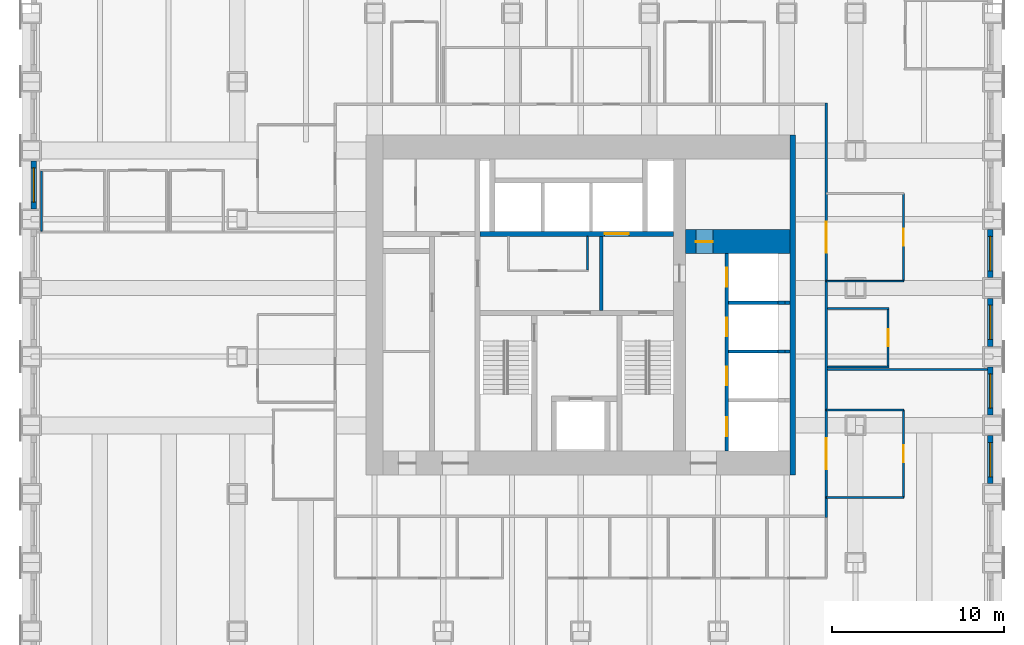
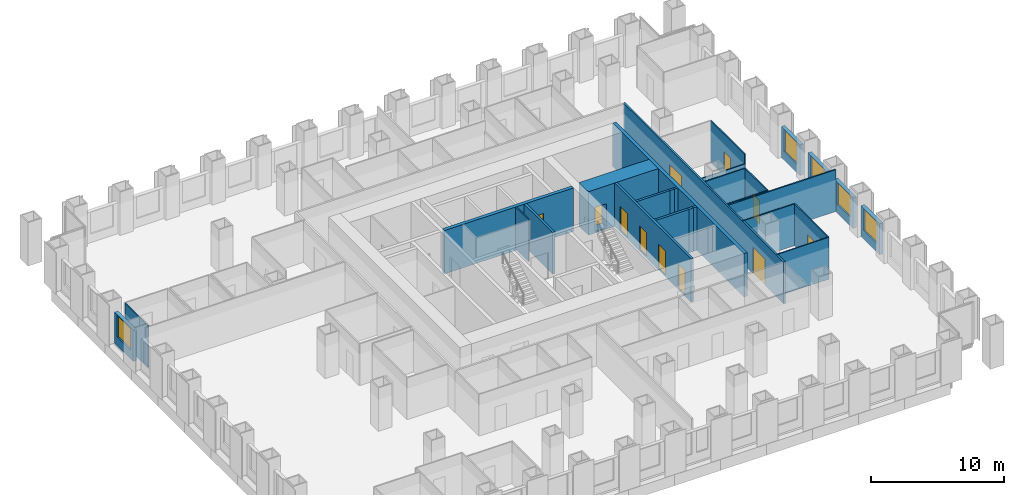
# One storey, part 10 of 14: 28 walls, 11 doors, 5 windows, 16 openings.
"""IFC4 building model written with IfcOpenShell, lengths in metres."""

from ifc_helpers import new_model, si_unit, direction, frame, frame_2d, origin, place, context, subcontext, project, spatial, rectangle, extrude, material, layer, layer_set, type_object, element, fill, save


model = new_model("IFC4")

# Units and contexts
model_context = context("Model", 3, precision=1e-05, world=origin(), true_north=direction((0.0, 1.0)))
body_context = subcontext(model_context, "Body", "Model", "MODEL_VIEW")
ifc_project = project(units=[si_unit("LENGTHUNIT", "METRE"), si_unit("AREAUNIT", "SQUARE_METRE"), si_unit("VOLUMEUNIT", "CUBIC_METRE"), si_unit("PLANEANGLEUNIT", "RADIAN"), si_unit("MASSUNIT", "GRAM", prefix="KILO")], contexts=[model_context])

# Site, building, storey
site_placement = place(None, origin())
site = spatial("IfcSite", under=ifc_project, at=site_placement, CompositionType="ELEMENT")
building_placement = place(site_placement, origin())
building = spatial("IfcBuilding", under=site, at=building_placement, Name="Rimbunsela Tower", CompositionType="ELEMENT")
storey_placement = place(building_placement, frame((0.0, 0.0, 63.0)))
storey = spatial("IfcBuildingStorey", under=building, at=storey_placement, Name="L15", CompositionType="ELEMENT", Elevation=63.0)

# Wall, opening, door
ifc_material_1 = material(Name="Concrete fc' 80 MPa", Category="concrete")
ifc_layer_1 = layer(ifc_material_1, 0.300048828125)
ifc_layer_set_1 = layer_set([ifc_layer_1], Name="Core internal wall 300")
wall_type_1 = type_object("IfcWallType", Name="Core internal wall 300", PredefinedType="SHEAR", material=ifc_layer_set_1)
wall_1_placement = place(storey_placement, frame((24.14990234375, 31.14990234375, -0.14990234375), z_axis=(0.0, 0.0, 1.0), x_axis=(1.0, 0.0, 0.0)))
wall_1 = element("IfcWall", 1, at=wall_1_placement, inside=storey, type_object=wall_type_1, Name="Lift shaft front north", PredefinedType="SHEAR", context=body_context, shape_type="SweptSolid", body=[
    extrude(rectangle(XDim=11.25, YDim=0.300048828125, at=frame_2d((5.625, 0.0))), origin(), (0.0, 0.0, 1.0), 4.0),
])
opening_1_placement = place(wall_1_placement, frame((7.25, 0.0, 0.14990234375)))
opening_1 = element("IfcOpeningElement", 2, at=opening_1_placement, cuts=wall_1, Name="Opening LD3", PredefinedType="OPENING", context=body_context, shape_type="SweptSolid", body=[
    extrude(rectangle(XDim=1.39990234375, YDim=2.39990234375, at=frame_2d((0.699951171875, 1.199951171875))), frame((0.0, 0.159912109375, 0.0), z_axis=(0.0, -1.0, 0.0), x_axis=(1.0, 0.0, 0.0)), (0.0, 0.0, 1.0), 0.320068359375),
])
ifc_material_2 = material(Name="Steel door, fire rated", Category="steel")
door_type_1 = type_object("IfcDoorType", Name="Lift landing door 1400", OperationType="DOUBLE_DOOR_SLIDING", PredefinedType="DOOR", material=ifc_material_2)
door_1_placement = place(opening_1_placement, origin())
door_1 = element("IfcDoor", 3, at=door_1_placement, inside=storey, type_object=door_type_1, Name="Lift landing door FL2", OperationType="DOUBLE_DOOR_SLIDING", OverallHeight=2.39990234375, OverallWidth=1.39990234375, PredefinedType="DOOR", context=body_context, shape_type="SweptSolid", body=[
    extrude(rectangle(XDim=1.39990234375, YDim=2.39990234375, at=frame_2d((0.699951171875, 1.199951171875))), frame((0.0, 0.02490234375, 0.0), z_axis=(0.0, -1.0, 0.0), x_axis=(1.0, 0.0, 0.0)), (0.0, 0.0, 1.0), 0.050048828125),
])
fill(opening_1, door_1)

# Wall
ifc_material_3 = material(Name="Concrete blockwork", Category="masonry")
ifc_layer_2 = layer(ifc_material_3, 0.10009765625)
ifc_layer_set_2 = layer_set([ifc_layer_2], Name="Core room partition 100")
wall_type_2 = type_object("IfcWallType", Name="Core room partition 100", PredefinedType="PARTITIONING", material=ifc_layer_set_2)
wall_2_placement = place(storey_placement, frame((30.39990234375, 29.050048828125, 0.0), z_axis=(0.0, 0.0, 1.0), x_axis=(0.0, 1.0, 0.0)))
element("IfcWall", 4, at=wall_2_placement, inside=storey, type_object=wall_type_2, Name="Lobby room wall", PredefinedType="PARTITIONING", context=body_context, shape_type="SweptSolid", body=[
    extrude(rectangle(XDim=1.949951171875, YDim=0.10009765625, at=frame_2d((0.97509765625, 0.0))), origin(), (0.0, 0.0, 1.0), 3.85009765625),
])

# Wall, opening, door
ifc_material_4 = material(Name="Concrete fc' 80 MPa", Category="concrete")
ifc_layer_3 = layer(ifc_material_4, 1.39990234375)
ifc_layer_set_3 = layer_set([ifc_layer_3], Name="Core wall 1400")
wall_type_3 = type_object("IfcWallType", Name="Core wall 1400", PredefinedType="SHEAR", material=ifc_layer_set_3)
wall_3_placement = place(storey_placement, frame((36.10009765625, 30.699951171875, -0.14990234375), z_axis=(0.0, 0.0, 1.0), x_axis=(1.0, 0.0, 0.0)))
wall_3 = element("IfcWall", 5, at=wall_3_placement, inside=storey, type_object=wall_type_3, Name="Lift shaft rear east", PredefinedType="SHEAR", context=body_context, shape_type="SweptSolid", body=[
    extrude(rectangle(XDim=6.099853515625, YDim=1.39990234375, at=frame_2d((3.0498046875, 0.0))), origin(), (0.0, 0.0, 1.0), 4.0),
])
opening_2_placement = place(wall_3_placement, frame((0.60009765625, 0.0, 0.14990234375)))
opening_2 = element("IfcOpeningElement", 6, at=opening_2_placement, cuts=wall_3, Name="Opening D19", PredefinedType="OPENING", context=body_context, shape_type="SweptSolid", body=[
    extrude(rectangle(XDim=1.0, YDim=2.199951171875, at=frame_2d((0.5, 1.10009765625))), frame((0.0, 0.7099609375, 0.0), z_axis=(0.0, -1.0, 0.0), x_axis=(1.0, 0.0, 0.0)), (0.0, 0.0, 1.0), 1.419921875),
])
ifc_material_5 = material(Name="Steel door, fire rated", Category="steel")
door_type_2 = type_object("IfcDoorType", Name="Service door 1000 fire rated", OperationType="SINGLE_SWING_LEFT", PredefinedType="DOOR", material=ifc_material_5)
door_2_placement = place(opening_2_placement, origin())
door_2 = element("IfcDoor", 7, at=door_2_placement, inside=storey, type_object=door_type_2, Name="Communications room door", OperationType="SINGLE_SWING_LEFT", OverallHeight=2.199951171875, OverallWidth=1.0, PredefinedType="DOOR", context=body_context, shape_type="SweptSolid", body=[
    extrude(rectangle(XDim=1.0, YDim=2.199951171875, at=frame_2d((0.5, 1.10009765625))), frame((0.0, 0.02490234375, 0.0), z_axis=(0.0, -1.0, 0.0), x_axis=(1.0, 0.0, 0.0)), (0.0, 0.0, 1.0), 0.050048828125),
])
fill(opening_2, door_2)

# Wall
ifc_material_6 = material(Name="Concrete fc' 80 MPa", Category="concrete")
ifc_layer_4 = layer(ifc_material_6, 0.300048828125)
ifc_layer_set_4 = layer_set([ifc_layer_4], Name="Core wall 300")
wall_type_4 = type_object("IfcWallType", Name="Core wall 300", PredefinedType="SHEAR", material=ifc_layer_set_4)
wall_4_placement = place(storey_placement, frame((42.35009765625, 17.10009765625, -0.14990234375), z_axis=(0.0, 0.0, 1.0), x_axis=(0.0, 1.0, 0.0)))
element("IfcWall", 8, at=wall_4_placement, inside=storey, type_object=wall_type_4, Name="Core wall east", PredefinedType="SHEAR", context=body_context, shape_type="SweptSolid", body=[
    extrude(rectangle(XDim=19.7998046875, YDim=0.300048828125, at=frame_2d((9.89990234375, 0.0))), origin(), (0.0, 0.0, 1.0), 4.0),
])

# Wall, openings, doors
ifc_material_7 = material(Name="Concrete blockwork", Category="masonry")
ifc_layer_5 = layer(ifc_material_7, 0.199951171875)
ifc_layer_set_5 = layer_set([ifc_layer_5], Name="Lift shaft wall 200")
wall_type_5 = type_object("IfcWallType", Name="Lift shaft wall 200", PredefinedType="SOLIDWALL", material=ifc_layer_set_5)
wall_5_placement = place(storey_placement, frame((38.5, 18.5, -0.14990234375), z_axis=(0.0, 0.0, 1.0), x_axis=(0.0, 1.0, 0.0)))
wall_5 = element("IfcWall", 9, at=wall_5_placement, inside=storey, type_object=wall_type_5, Name="Lift shaft front east", PredefinedType="SOLIDWALL", context=body_context, shape_type="SweptSolid", body=[
    extrude(rectangle(XDim=11.5, YDim=0.199951171875, at=frame_2d((5.75, 0.0))), origin(), (0.0, 0.0, 1.0), 4.0),
])
opening_3_placement = place(wall_5_placement, frame((0.875, 0.0, 0.14990234375)))
opening_3 = element("IfcOpeningElement", 10, at=opening_3_placement, cuts=wall_5, Name="Opening LD1", PredefinedType="OPENING", context=body_context, shape_type="SweptSolid", body=[
    extrude(rectangle(XDim=1.10009765625, YDim=2.199951171875, at=frame_2d((0.550048828125, 1.10009765625))), frame((0.0, 0.10986328125, 0.0), z_axis=(0.0, -1.0, 0.0), x_axis=(1.0, 0.0, 0.0)), (0.0, 0.0, 1.0), 0.219970703125),
])
opening_4_placement = place(wall_5_placement, frame((3.824951171875, 0.0, 0.14990234375)))
opening_4 = element("IfcOpeningElement", 11, at=opening_4_placement, cuts=wall_5, Name="Opening LD1", PredefinedType="OPENING", context=body_context, shape_type="SweptSolid", body=[
    extrude(rectangle(XDim=1.10009765625, YDim=2.199951171875, at=frame_2d((0.550048828125, 1.10009765625))), frame((0.0, 0.10986328125, 0.0), z_axis=(0.0, -1.0, 0.0), x_axis=(1.0, 0.0, 0.0)), (0.0, 0.0, 1.0), 0.219970703125),
])
opening_5_placement = place(wall_5_placement, frame((6.675048828125, 0.0, 0.14990234375)))
opening_5 = element("IfcOpeningElement", 12, at=opening_5_placement, cuts=wall_5, Name="Opening LD1", PredefinedType="OPENING", context=body_context, shape_type="SweptSolid", body=[
    extrude(rectangle(XDim=1.10009765625, YDim=2.199951171875, at=frame_2d((0.550048828125, 1.10009765625))), frame((0.0, 0.10986328125, 0.0), z_axis=(0.0, -1.0, 0.0), x_axis=(1.0, 0.0, 0.0)), (0.0, 0.0, 1.0), 0.219970703125),
])
opening_6_placement = place(wall_5_placement, frame((9.574951171875, 0.0, 0.14990234375)))
opening_6 = element("IfcOpeningElement", 13, at=opening_6_placement, cuts=wall_5, Name="Opening LD1", PredefinedType="OPENING", context=body_context, shape_type="SweptSolid", body=[
    extrude(rectangle(XDim=1.10009765625, YDim=2.199951171875, at=frame_2d((0.550048828125, 1.10009765625))), frame((0.0, 0.10986328125, 0.0), z_axis=(0.0, -1.0, 0.0), x_axis=(1.0, 0.0, 0.0)), (0.0, 0.0, 1.0), 0.219970703125),
])
ifc_material_8 = material(Name="Steel door, fire rated", Category="steel")
door_type_3 = type_object("IfcDoorType", Name="Lift landing door 1100", OperationType="DOUBLE_DOOR_SLIDING", PredefinedType="DOOR", material=ifc_material_8)
door_3_placement = place(opening_3_placement, origin())
door_3 = element("IfcDoor", 14, at=door_3_placement, inside=storey, type_object=door_type_3, Name="Lift landing door LL1", OperationType="DOUBLE_DOOR_SLIDING", OverallHeight=2.199951171875, OverallWidth=1.10009765625, PredefinedType="DOOR", context=body_context, shape_type="SweptSolid", body=[
    extrude(rectangle(XDim=1.10009765625, YDim=2.199951171875, at=frame_2d((0.550048828125, 1.10009765625))), frame((0.0, 0.02490234375, 0.0), z_axis=(0.0, -1.0, 0.0), x_axis=(1.0, 0.0, 0.0)), (0.0, 0.0, 1.0), 0.050048828125),
])
fill(opening_3, door_3)
door_4_placement = place(opening_4_placement, origin())
door_4 = element("IfcDoor", 15, at=door_4_placement, inside=storey, type_object=door_type_3, Name="Lift landing door LL2", OperationType="DOUBLE_DOOR_SLIDING", OverallHeight=2.199951171875, OverallWidth=1.10009765625, PredefinedType="DOOR", context=body_context, shape_type="SweptSolid", body=[
    extrude(rectangle(XDim=1.10009765625, YDim=2.199951171875, at=frame_2d((0.550048828125, 1.10009765625))), frame((0.0, 0.02490234375, 0.0), z_axis=(0.0, -1.0, 0.0), x_axis=(1.0, 0.0, 0.0)), (0.0, 0.0, 1.0), 0.050048828125),
])
fill(opening_4, door_4)
door_5_placement = place(opening_5_placement, origin())
door_5 = element("IfcDoor", 16, at=door_5_placement, inside=storey, type_object=door_type_3, Name="Lift landing door LL3", OperationType="DOUBLE_DOOR_SLIDING", OverallHeight=2.199951171875, OverallWidth=1.10009765625, PredefinedType="DOOR", context=body_context, shape_type="SweptSolid", body=[
    extrude(rectangle(XDim=1.10009765625, YDim=2.199951171875, at=frame_2d((0.550048828125, 1.10009765625))), frame((0.0, 0.02490234375, 0.0), z_axis=(0.0, -1.0, 0.0), x_axis=(1.0, 0.0, 0.0)), (0.0, 0.0, 1.0), 0.050048828125),
])
fill(opening_5, door_5)
door_6_placement = place(opening_6_placement, origin())
door_6 = element("IfcDoor", 17, at=door_6_placement, inside=storey, type_object=door_type_3, Name="Lift landing door LL4", OperationType="DOUBLE_DOOR_SLIDING", OverallHeight=2.199951171875, OverallWidth=1.10009765625, PredefinedType="DOOR", context=body_context, shape_type="SweptSolid", body=[
    extrude(rectangle(XDim=1.10009765625, YDim=2.199951171875, at=frame_2d((0.550048828125, 1.10009765625))), frame((0.0, 0.02490234375, 0.0), z_axis=(0.0, -1.0, 0.0), x_axis=(1.0, 0.0, 0.0)), (0.0, 0.0, 1.0), 0.050048828125),
])
fill(opening_6, door_6)

# Walls
wall_6_placement = place(storey_placement, frame((38.60009765625, 24.300048828125, -0.14990234375), z_axis=(0.0, 0.0, 1.0), x_axis=(1.0, 0.0, 0.0)))
element("IfcWall", 18, at=wall_6_placement, inside=storey, type_object=wall_type_5, Name="Lift shaft separation", PredefinedType="SOLIDWALL", context=body_context, shape_type="SweptSolid", body=[
    extrude(rectangle(XDim=2.89990234375, YDim=0.199951171875, at=frame_2d((1.449951171875, 0.0))), origin(), (0.0, 0.0, 1.0), 4.0),
])
wall_7_placement = place(storey_placement, frame((41.5, 24.300048828125, -0.14990234375), z_axis=(0.0, 0.0, 1.0), x_axis=(1.0, 0.0, 0.0)))
element("IfcWall", 19, at=wall_7_placement, inside=storey, type_object=wall_type_5, Name="Lift shaft separation", PredefinedType="SOLIDWALL", context=body_context, shape_type="SweptSolid", body=[
    extrude(rectangle(XDim=0.39990234375, YDim=0.199951171875, at=frame_2d((0.199951171875, 0.0))), origin(), (0.0, 0.0, 1.0), 4.0),
])
wall_8_placement = place(storey_placement, frame((41.89990234375, 24.300048828125, -0.14990234375), z_axis=(0.0, 0.0, 1.0), x_axis=(1.0, 0.0, 0.0)))
element("IfcWall", 20, at=wall_8_placement, inside=storey, type_object=wall_type_5, Name="Lift shaft separation", PredefinedType="SOLIDWALL", context=body_context, shape_type="SweptSolid", body=[
    extrude(rectangle(XDim=0.300048828125, YDim=0.199951171875, at=frame_2d((0.14990234375, 0.0))), origin(), (0.0, 0.0, 1.0), 4.0),
])
wall_9_placement = place(storey_placement, frame((38.60009765625, 27.14990234375, -0.14990234375), z_axis=(0.0, 0.0, 1.0), x_axis=(1.0, 0.0, 0.0)))
element("IfcWall", 21, at=wall_9_placement, inside=storey, type_object=wall_type_5, Name="Lift shaft separation", PredefinedType="SOLIDWALL", context=body_context, shape_type="SweptSolid", body=[
    extrude(rectangle(XDim=2.89990234375, YDim=0.199951171875, at=frame_2d((1.449951171875, 0.0))), origin(), (0.0, 0.0, 1.0), 4.0),
])
wall_10_placement = place(storey_placement, frame((41.5, 27.14990234375, -0.14990234375), z_axis=(0.0, 0.0, 1.0), x_axis=(1.0, 0.0, 0.0)))
element("IfcWall", 22, at=wall_10_placement, inside=storey, type_object=wall_type_5, Name="Lift shaft separation", PredefinedType="SOLIDWALL", context=body_context, shape_type="SweptSolid", body=[
    extrude(rectangle(XDim=0.39990234375, YDim=0.199951171875, at=frame_2d((0.199951171875, 0.0))), origin(), (0.0, 0.0, 1.0), 4.0),
])
wall_11_placement = place(storey_placement, frame((41.89990234375, 27.14990234375, -0.14990234375), z_axis=(0.0, 0.0, 1.0), x_axis=(1.0, 0.0, 0.0)))
element("IfcWall", 23, at=wall_11_placement, inside=storey, type_object=wall_type_5, Name="Lift shaft separation", PredefinedType="SOLIDWALL", context=body_context, shape_type="SweptSolid", body=[
    extrude(rectangle(XDim=0.300048828125, YDim=0.199951171875, at=frame_2d((0.14990234375, 0.0))), origin(), (0.0, 0.0, 1.0), 4.0),
])
wall_12_placement = place(storey_placement, frame((31.199951171875, 26.699951171875, 0.0), z_axis=(0.0, 0.0, 1.0), x_axis=(0.0, 1.0, 0.0)))
element("IfcWall", 24, at=wall_12_placement, inside=storey, type_object=wall_type_5, Name="Firefighting lobby 2 wall", PredefinedType="SOLIDWALL", context=body_context, shape_type="SweptSolid", body=[
    extrude(rectangle(XDim=4.300048828125, YDim=0.199951171875, at=frame_2d((2.14990234375, 0.0))), origin(), (0.0, 0.0, 1.0), 3.85009765625),
])
ifc_material_9 = material(Name="Gypsum board on steel studs", Category="steel")
ifc_layer_6 = layer(ifc_material_9, 0.10009765625)
ifc_layer_set_6 = layer_set([ifc_layer_6], Name="Office partition 100")
wall_type_6 = type_object("IfcWallType", Name="Office partition 100", PredefinedType="PARTITIONING", material=ifc_layer_set_6)
for number, where, z_axis, x_axis, name in (
    (25, (44.375, 23.39990234375, 0.0), (0.0, 0.0, 1.0), (1.0, 0.0, 0.0), "Office partition"),
    (26, (44.375, 26.800048828125, 0.0), (0.0, 0.0, 1.0), (1.0, 0.0, 0.0), "Office partition"),
):
    element("IfcWall", number, at=place(storey_placement, frame(where, z_axis=z_axis, x_axis=x_axis)), inside=storey, type_object=wall_type_6, Name=name, PredefinedType="PARTITIONING", context=body_context, shape_type="SweptSolid", body=[
        extrude(rectangle(XDim=3.574951171875, YDim=0.10009765625, at=frame_2d((1.78759765625, 0.0))), origin(), (0.0, 0.0, 1.0), 3.85009765625),
    ])
wall_13_placement = place(storey_placement, frame((-1.39990234375, 31.31005859375, 0.0), z_axis=(0.0, 0.0, 1.0), x_axis=(0.0, 1.0, 0.0)))
element("IfcWall", 27, at=wall_13_placement, inside=storey, type_object=wall_type_6, Name="Office partition", PredefinedType="PARTITIONING", context=body_context, shape_type="SweptSolid", body=[
    extrude(rectangle(XDim=3.489990234375, YDim=0.10009765625, at=frame_2d((1.7451171875, 0.0))), origin(), (0.0, 0.0, 1.0), 3.85009765625),
])

# Wall, opening, door
wall_14_placement = place(storey_placement, frame((47.89990234375, 23.449951171875, 0.0), z_axis=(0.0, 0.0, 1.0), x_axis=(0.0, 1.0, 0.0)))
wall_14 = element("IfcWall", 28, at=wall_14_placement, inside=storey, type_object=wall_type_6, Name="Office partition", PredefinedType="PARTITIONING", context=body_context, shape_type="SweptSolid", body=[
    extrude(rectangle(XDim=3.300048828125, YDim=0.10009765625, at=frame_2d((1.64990234375, 0.0))), origin(), (0.0, 0.0, 1.0), 3.85009765625),
])
opening_7_placement = place(wall_14_placement, frame((1.14990234375, 0.0, 0.0)))
opening_7 = element("IfcOpeningElement", 29, at=opening_7_placement, cuts=wall_14, Name="Opening D16", PredefinedType="OPENING", context=body_context, shape_type="SweptSolid", body=[
    extrude(rectangle(XDim=1.0, YDim=2.199951171875, at=frame_2d((0.5, 1.10009765625))), frame((0.0, 0.06005859375, 0.0), z_axis=(0.0, -1.0, 0.0), x_axis=(1.0, 0.0, 0.0)), (0.0, 0.0, 1.0), 0.1201171875),
])
ifc_material_10 = material(Name="Timber door", Category="wood")
door_type_4 = type_object("IfcDoorType", Name="Office door 1000", OperationType="SINGLE_SWING_LEFT", PredefinedType="DOOR", material=ifc_material_10)
door_7_placement = place(opening_7_placement, origin())
door_7 = element("IfcDoor", 30, at=door_7_placement, inside=storey, type_object=door_type_4, Name="Office door", OperationType="SINGLE_SWING_LEFT", OverallHeight=2.199951171875, OverallWidth=1.0, PredefinedType="DOOR", context=body_context, shape_type="SweptSolid", body=[
    extrude(rectangle(XDim=1.0, YDim=2.199951171875, at=frame_2d((0.5, 1.10009765625))), frame((0.0, 0.02490234375, 0.0), z_axis=(0.0, -1.0, 0.0), x_axis=(1.0, 0.0, 0.0)), (0.0, 0.0, 1.0), 0.050048828125),
])
fill(opening_7, door_7)

# Wall
wall_15_placement = place(storey_placement, frame((44.300048828125, 15.800048828125, 0.0), z_axis=(0.0, 0.0, 1.0), x_axis=(1.0, 0.0, 0.0)))
element("IfcWall", 31, at=wall_15_placement, inside=storey, type_object=wall_type_6, Name="Office partition", PredefinedType="PARTITIONING", context=body_context, shape_type="SweptSolid", body=[
    extrude(rectangle(XDim=4.5, YDim=0.10009765625, at=frame_2d((2.25, 0.0))), origin(), (0.0, 0.0, 1.0), 3.85009765625),
])

# Wall, opening, door
wall_16_placement = place(storey_placement, frame((48.800048828125, 15.800048828125, 0.0), z_axis=(0.0, 0.0, 1.0), x_axis=(0.0, 1.0, 0.0)))
wall_16 = element("IfcWall", 32, at=wall_16_placement, inside=storey, type_object=wall_type_6, Name="Office partition", PredefinedType="PARTITIONING", context=body_context, shape_type="SweptSolid", body=[
    extrude(rectangle(XDim=5.099853515625, YDim=0.10009765625, at=frame_2d((2.5498046875, 0.0))), origin(), (0.0, 0.0, 1.0), 3.85009765625),
])
opening_8_placement = place(wall_16_placement, frame((2.050048828125, 0.0, 0.0)))
opening_8 = element("IfcOpeningElement", 33, at=opening_8_placement, cuts=wall_16, Name="Opening D17", PredefinedType="OPENING", context=body_context, shape_type="SweptSolid", body=[
    extrude(rectangle(XDim=1.0, YDim=2.199951171875, at=frame_2d((0.5, 1.10009765625))), frame((0.0, 0.06005859375, 0.0), z_axis=(0.0, -1.0, 0.0), x_axis=(1.0, 0.0, 0.0)), (0.0, 0.0, 1.0), 0.1201171875),
])
ifc_material_11 = material(Name="Glazed aluminium door", Category="aluminium")
door_type_5 = type_object("IfcDoorType", Name="Meeting room door 1000 glazed", OperationType="SINGLE_SWING_RIGHT", PredefinedType="DOOR", material=ifc_material_11)
door_8_placement = place(opening_8_placement, origin())
door_8 = element("IfcDoor", 34, at=door_8_placement, inside=storey, type_object=door_type_5, Name="Reception door", OperationType="SINGLE_SWING_RIGHT", OverallHeight=2.199951171875, OverallWidth=1.0, PredefinedType="DOOR", context=body_context, shape_type="SweptSolid", body=[
    extrude(rectangle(XDim=1.0, YDim=2.199951171875, at=frame_2d((0.5, 1.10009765625))), frame((0.0, 0.02490234375, 0.0), z_axis=(0.0, -1.0, 0.0), x_axis=(1.0, 0.0, 0.0)), (0.0, 0.0, 1.0), 0.050048828125),
])
fill(opening_8, door_8)

# Walls
wall_17_placement = place(storey_placement, frame((48.800048828125, 20.89990234375, 0.0), z_axis=(0.0, 0.0, 1.0), x_axis=(-1.0, 0.0, 0.0)))
element("IfcWall", 35, at=wall_17_placement, inside=storey, type_object=wall_type_6, Name="Office partition", PredefinedType="PARTITIONING", context=body_context, shape_type="SweptSolid", body=[
    extrude(rectangle(XDim=4.5, YDim=0.10009765625, at=frame_2d((2.25, 0.0))), origin(), (0.0, 0.0, 1.0), 3.85009765625),
])
wall_18_placement = place(storey_placement, frame((44.300048828125, 28.39990234375, 0.0), z_axis=(0.0, 0.0, 1.0), x_axis=(1.0, 0.0, 0.0)))
element("IfcWall", 36, at=wall_18_placement, inside=storey, type_object=wall_type_6, Name="Office partition", PredefinedType="PARTITIONING", context=body_context, shape_type="SweptSolid", body=[
    extrude(rectangle(XDim=4.5, YDim=0.10009765625, at=frame_2d((2.25, 0.0))), origin(), (0.0, 0.0, 1.0), 2.949951171875),
])

# Wall, opening, door
wall_19_placement = place(storey_placement, frame((48.800048828125, 28.39990234375, 0.0), z_axis=(0.0, 0.0, 1.0), x_axis=(0.0, 1.0, 0.0)))
wall_19 = element("IfcWall", 37, at=wall_19_placement, inside=storey, type_object=wall_type_6, Name="Office partition", PredefinedType="PARTITIONING", context=body_context, shape_type="SweptSolid", body=[
    extrude(rectangle(XDim=5.10009765625, YDim=0.10009765625, at=frame_2d((2.550048828125, 0.0))), origin(), (0.0, 0.0, 1.0), 3.85009765625),
])
opening_9_placement = place(wall_19_placement, frame((2.050048828125, 0.0, 0.0)))
opening_9 = element("IfcOpeningElement", 38, at=opening_9_placement, cuts=wall_19, Name="Opening D17", PredefinedType="OPENING", context=body_context, shape_type="SweptSolid", body=[
    extrude(rectangle(XDim=1.0, YDim=2.199951171875, at=frame_2d((0.5, 1.10009765625))), frame((0.0, 0.06005859375, 0.0), z_axis=(0.0, -1.0, 0.0), x_axis=(1.0, 0.0, 0.0)), (0.0, 0.0, 1.0), 0.1201171875),
])
door_9_placement = place(opening_9_placement, origin())
door_9 = element("IfcDoor", 39, at=door_9_placement, inside=storey, type_object=door_type_5, Name="Reception door", OperationType="SINGLE_SWING_RIGHT", OverallHeight=2.199951171875, OverallWidth=1.0, PredefinedType="DOOR", context=body_context, shape_type="SweptSolid", body=[
    extrude(rectangle(XDim=1.0, YDim=2.199951171875, at=frame_2d((0.5, 1.10009765625))), frame((0.0, 0.02490234375, 0.0), z_axis=(0.0, -1.0, 0.0), x_axis=(1.0, 0.0, 0.0)), (0.0, 0.0, 1.0), 0.050048828125),
])
fill(opening_9, door_9)

# Wall, opening, window
ifc_material_12 = material(Name="Precast concrete fc' 35 MPa", Category="concrete")
ifc_layer_7 = layer(ifc_material_12, 0.300048828125)
ifc_layer_set_7 = layer_set([ifc_layer_7], Name="Precast concrete fc' 35 MPa")
wall_type_7 = type_object("IfcWallType", Name="Precast facade panel 300", PredefinedType="ELEMENTEDWALL", material=ifc_layer_set_7)
wall_20_placement = place(storey_placement, frame((53.85009765625, 16.60009765625, 0.0), z_axis=(0.0, 0.0, 1.0), x_axis=(0.0, 1.0, 0.0)))
wall_20 = element("IfcWall", 40, at=wall_20_placement, inside=storey, type_object=wall_type_7, Name="Facade panel E L15", PredefinedType="ELEMENTEDWALL", context=body_context, shape_type="SweptSolid", body=[
    extrude(rectangle(XDim=2.7998046875, YDim=0.300048828125, at=frame_2d((1.39990234375, 0.0))), origin(), (0.0, 0.0, 1.0), 2.85009765625),
])
opening_10_placement = place(wall_20_placement, frame((0.39990234375, 0.0, 0.800048828125)))
opening_10 = element("IfcOpeningElement", 41, at=opening_10_placement, cuts=wall_20, Name="Opening W1", PredefinedType="OPENING", context=body_context, shape_type="SweptSolid", body=[
    extrude(rectangle(XDim=2.0, YDim=2.0, at=frame_2d((1.0, 1.0))), frame((0.0, 0.159912109375, 0.0), z_axis=(0.0, -1.0, 0.0), x_axis=(1.0, 0.0, 0.0)), (0.0, 0.0, 1.0), 0.320068359375),
])
ifc_material_13 = material(Name="Clear glass in aluminium frame", Category="aluminium")
window_type = type_object("IfcWindowType", Name="Window W1 2000x2000", PartitioningType="DOUBLE_PANEL_VERTICAL", PredefinedType="WINDOW", material=ifc_material_13)
window_1_placement = place(opening_10_placement, origin())
window_1 = element("IfcWindow", 42, at=window_1_placement, inside=storey, type_object=window_type, Name="Window L15", OverallHeight=2.0, OverallWidth=2.0, PartitioningType="SINGLE_PANEL", PredefinedType="WINDOW", context=body_context, shape_type="SweptSolid", body=[
    extrude(rectangle(XDim=2.0, YDim=2.0, at=frame_2d((1.0, 1.0))), frame((0.0, 0.030029296875, 0.0), z_axis=(0.0, -1.0, 0.0), x_axis=(1.0, 0.0, 0.0)), (0.0, 0.0, 1.0), 0.06005859375),
])
fill(opening_10, window_1)

wall_21_placement = place(storey_placement, frame((53.85009765625, 20.60009765625, 0.0), z_axis=(0.0, 0.0, 1.0), x_axis=(0.0, 1.0, 0.0)))
wall_21 = element("IfcWall", 43, at=wall_21_placement, inside=storey, type_object=wall_type_7, Name="Facade panel E L15", PredefinedType="ELEMENTEDWALL", context=body_context, shape_type="SweptSolid", body=[
    extrude(rectangle(XDim=2.7998046875, YDim=0.300048828125, at=frame_2d((1.39990234375, 0.0))), origin(), (0.0, 0.0, 1.0), 2.85009765625),
])
opening_11_placement = place(wall_21_placement, frame((0.39990234375, 0.0, 0.800048828125)))
opening_11 = element("IfcOpeningElement", 44, at=opening_11_placement, cuts=wall_21, Name="Opening W1", PredefinedType="OPENING", context=body_context, shape_type="SweptSolid", body=[
    extrude(rectangle(XDim=2.0, YDim=2.0, at=frame_2d((1.0, 1.0))), frame((0.0, 0.159912109375, 0.0), z_axis=(0.0, -1.0, 0.0), x_axis=(1.0, 0.0, 0.0)), (0.0, 0.0, 1.0), 0.320068359375),
])
window_2_placement = place(opening_11_placement, origin())
window_2 = element("IfcWindow", 45, at=window_2_placement, inside=storey, type_object=window_type, Name="Window L15", OverallHeight=2.0, OverallWidth=2.0, PartitioningType="SINGLE_PANEL", PredefinedType="WINDOW", context=body_context, shape_type="SweptSolid", body=[
    extrude(rectangle(XDim=2.0, YDim=2.0, at=frame_2d((1.0, 1.0))), frame((0.0, 0.030029296875, 0.0), z_axis=(0.0, -1.0, 0.0), x_axis=(1.0, 0.0, 0.0)), (0.0, 0.0, 1.0), 0.06005859375),
])
fill(opening_11, window_2)

wall_22_placement = place(storey_placement, frame((53.85009765625, 24.60009765625, 0.0), z_axis=(0.0, 0.0, 1.0), x_axis=(0.0, 1.0, 0.0)))
wall_22 = element("IfcWall", 46, at=wall_22_placement, inside=storey, type_object=wall_type_7, Name="Facade panel E L15", PredefinedType="ELEMENTEDWALL", context=body_context, shape_type="SweptSolid", body=[
    extrude(rectangle(XDim=2.7998046875, YDim=0.300048828125, at=frame_2d((1.39990234375, 0.0))), origin(), (0.0, 0.0, 1.0), 2.85009765625),
])
opening_12_placement = place(wall_22_placement, frame((0.39990234375, 0.0, 0.800048828125)))
opening_12 = element("IfcOpeningElement", 47, at=opening_12_placement, cuts=wall_22, Name="Opening W1", PredefinedType="OPENING", context=body_context, shape_type="SweptSolid", body=[
    extrude(rectangle(XDim=2.0, YDim=2.0, at=frame_2d((1.0, 1.0))), frame((0.0, 0.159912109375, 0.0), z_axis=(0.0, -1.0, 0.0), x_axis=(1.0, 0.0, 0.0)), (0.0, 0.0, 1.0), 0.320068359375),
])
window_3_placement = place(opening_12_placement, origin())
window_3 = element("IfcWindow", 48, at=window_3_placement, inside=storey, type_object=window_type, Name="Window L15", OverallHeight=2.0, OverallWidth=2.0, PartitioningType="SINGLE_PANEL", PredefinedType="WINDOW", context=body_context, shape_type="SweptSolid", body=[
    extrude(rectangle(XDim=2.0, YDim=2.0, at=frame_2d((1.0, 1.0))), frame((0.0, 0.030029296875, 0.0), z_axis=(0.0, -1.0, 0.0), x_axis=(1.0, 0.0, 0.0)), (0.0, 0.0, 1.0), 0.06005859375),
])
fill(opening_12, window_3)

wall_23_placement = place(storey_placement, frame((53.85009765625, 28.60009765625, 0.0), z_axis=(0.0, 0.0, 1.0), x_axis=(0.0, 1.0, 0.0)))
wall_23 = element("IfcWall", 49, at=wall_23_placement, inside=storey, type_object=wall_type_7, Name="Facade panel E L15", PredefinedType="ELEMENTEDWALL", context=body_context, shape_type="SweptSolid", body=[
    extrude(rectangle(XDim=2.7998046875, YDim=0.300048828125, at=frame_2d((1.39990234375, 0.0))), origin(), (0.0, 0.0, 1.0), 2.85009765625),
])
opening_13_placement = place(wall_23_placement, frame((0.39990234375, 0.0, 0.800048828125)))
opening_13 = element("IfcOpeningElement", 50, at=opening_13_placement, cuts=wall_23, Name="Opening W1", PredefinedType="OPENING", context=body_context, shape_type="SweptSolid", body=[
    extrude(rectangle(XDim=2.0, YDim=2.0, at=frame_2d((1.0, 1.0))), frame((0.0, 0.159912109375, 0.0), z_axis=(0.0, -1.0, 0.0), x_axis=(1.0, 0.0, 0.0)), (0.0, 0.0, 1.0), 0.320068359375),
])
window_4_placement = place(opening_13_placement, origin())
window_4 = element("IfcWindow", 51, at=window_4_placement, inside=storey, type_object=window_type, Name="Window L15", OverallHeight=2.0, OverallWidth=2.0, PartitioningType="SINGLE_PANEL", PredefinedType="WINDOW", context=body_context, shape_type="SweptSolid", body=[
    extrude(rectangle(XDim=2.0, YDim=2.0, at=frame_2d((1.0, 1.0))), frame((0.0, 0.030029296875, 0.0), z_axis=(0.0, -1.0, 0.0), x_axis=(1.0, 0.0, 0.0)), (0.0, 0.0, 1.0), 0.06005859375),
])
fill(opening_13, window_4)

wall_24_placement = place(storey_placement, frame((-1.85009765625, 35.39990234375, 0.0), z_axis=(0.0, 0.0, 1.0), x_axis=(0.0, -1.0, 0.0)))
wall_24 = element("IfcWall", 52, at=wall_24_placement, inside=storey, type_object=wall_type_7, Name="Facade panel W L15", PredefinedType="ELEMENTEDWALL", context=body_context, shape_type="SweptSolid", body=[
    extrude(rectangle(XDim=2.7998046875, YDim=0.300048828125, at=frame_2d((1.39990234375, 0.0))), origin(), (0.0, 0.0, 1.0), 2.85009765625),
])
opening_14_placement = place(wall_24_placement, frame((0.39990234375, 0.0, 0.800048828125)))
opening_14 = element("IfcOpeningElement", 53, at=opening_14_placement, cuts=wall_24, Name="Opening W1", PredefinedType="OPENING", context=body_context, shape_type="SweptSolid", body=[
    extrude(rectangle(XDim=2.0, YDim=2.0, at=frame_2d((1.0, 1.0))), frame((0.0, 0.159912109375, 0.0), z_axis=(0.0, -1.0, 0.0), x_axis=(1.0, 0.0, 0.0)), (0.0, 0.0, 1.0), 0.320068359375),
])
window_5_placement = place(opening_14_placement, origin())
window_5 = element("IfcWindow", 54, at=window_5_placement, inside=storey, type_object=window_type, Name="Window L15", OverallHeight=2.0, OverallWidth=2.0, PartitioningType="SINGLE_PANEL", PredefinedType="WINDOW", context=body_context, shape_type="SweptSolid", body=[
    extrude(rectangle(XDim=2.0, YDim=2.0, at=frame_2d((1.0, 1.0))), frame((0.0, 0.030029296875, 0.0), z_axis=(0.0, -1.0, 0.0), x_axis=(1.0, 0.0, 0.0)), (0.0, 0.0, 1.0), 0.06005859375),
])
fill(opening_14, window_5)

# Wall, openings, doors
ifc_material_14 = material(Name="Fire-rated gypsum board on steel studs, EI 60", Category="steel")
ifc_layer_8 = layer(ifc_material_14, 0.14990234375)
ifc_layer_set_8 = layer_set([ifc_layer_8], Name="Rated corridor wall 150")
wall_type_8 = type_object("IfcWallType", Name="Rated corridor wall 150", PredefinedType="PARTITIONING", material=ifc_layer_set_8)
wall_25_placement = place(storey_placement, frame((44.300048828125, 14.625, 0.0), z_axis=(0.0, 0.0, 1.0), x_axis=(0.0, 1.0, 0.0)))
wall_25 = element("IfcWall", 55, at=wall_25_placement, inside=storey, type_object=wall_type_8, Name="Corridor wall east", PredefinedType="PARTITIONING", context=body_context, shape_type="SweptSolid", body=[
    extrude(rectangle(XDim=24.14990234375, YDim=0.14990234375, at=frame_2d((12.074951171875, 0.0))), origin(), (0.0, 0.0, 1.0), 3.85009765625),
])
opening_15_placement = place(wall_25_placement, frame((2.824951171875, 0.0, 0.0)))
opening_15 = element("IfcOpeningElement", 56, at=opening_15_placement, cuts=wall_25, Name="Opening D09", PredefinedType="OPENING", context=body_context, shape_type="SweptSolid", body=[
    extrude(rectangle(XDim=1.800048828125, YDim=2.39990234375, at=frame_2d((0.89990234375, 1.199951171875))), frame((0.0, 0.0849609375, 0.0), z_axis=(0.0, -1.0, 0.0), x_axis=(1.0, 0.0, 0.0)), (0.0, 0.0, 1.0), 0.169921875),
])
opening_16_placement = place(wall_25_placement, frame((15.425048828125, 0.0, 0.0)))
opening_16 = element("IfcOpeningElement", 57, at=opening_16_placement, cuts=wall_25, Name="Opening D09", PredefinedType="OPENING", context=body_context, shape_type="SweptSolid", body=[
    extrude(rectangle(XDim=1.800048828125, YDim=2.39990234375, at=frame_2d((0.89990234375, 1.199951171875))), frame((0.0, 0.0849609375, 0.0), z_axis=(0.0, -1.0, 0.0), x_axis=(1.0, 0.0, 0.0)), (0.0, 0.0, 1.0), 0.169921875),
])
ifc_material_15 = material(Name="Glazed aluminium door, fire rated", Category="aluminium")
door_type_6 = type_object("IfcDoorType", Name="Tenancy door 1800 glazed", OperationType="DOUBLE_DOOR_DOUBLE_SWING", PredefinedType="DOOR", material=ifc_material_15)
door_10_placement = place(opening_15_placement, origin())
door_10 = element("IfcDoor", 58, at=door_10_placement, inside=storey, type_object=door_type_6, Name="Tenancy door", OperationType="DOUBLE_DOOR_DOUBLE_SWING", OverallHeight=2.39990234375, OverallWidth=1.800048828125, PredefinedType="DOOR", context=body_context, shape_type="SweptSolid", body=[
    extrude(rectangle(XDim=1.800048828125, YDim=2.39990234375, at=frame_2d((0.89990234375, 1.199951171875))), frame((0.0, 0.02490234375, 0.0), z_axis=(0.0, -1.0, 0.0), x_axis=(1.0, 0.0, 0.0)), (0.0, 0.0, 1.0), 0.050048828125),
])
fill(opening_15, door_10)
door_11_placement = place(opening_16_placement, origin())
door_11 = element("IfcDoor", 59, at=door_11_placement, inside=storey, type_object=door_type_6, Name="Tenancy door", OperationType="DOUBLE_DOOR_DOUBLE_SWING", OverallHeight=2.39990234375, OverallWidth=1.800048828125, PredefinedType="DOOR", context=body_context, shape_type="SweptSolid", body=[
    extrude(rectangle(XDim=1.800048828125, YDim=2.39990234375, at=frame_2d((0.89990234375, 1.199951171875))), frame((0.0, 0.02490234375, 0.0), z_axis=(0.0, -1.0, 0.0), x_axis=(1.0, 0.0, 0.0)), (0.0, 0.0, 1.0), 0.050048828125),
])
fill(opening_16, door_11)

# Wall
ifc_material_16 = material(Name="Gypsum board on steel studs", Category="steel")
ifc_layer_9 = layer(ifc_material_16, 0.1201171875)
ifc_layer_set_9 = layer_set([ifc_layer_9], Name="Tenancy partition 120")
wall_type_9 = type_object("IfcWallType", Name="Tenancy partition 120", PredefinedType="PARTITIONING", material=ifc_layer_set_9)
wall_26_placement = place(storey_placement, frame((44.375, 23.25, 0.0), z_axis=(0.0, 0.0, 1.0), x_axis=(1.0, 0.0, 0.0)))
element("IfcWall", 60, at=wall_26_placement, inside=storey, type_object=wall_type_9, Name="Tenancy partition", PredefinedType="PARTITIONING", context=body_context, shape_type="SweptSolid", body=[
    extrude(rectangle(XDim=9.324951171875, YDim=0.1201171875, at=frame_2d((4.66259765625, 0.0))), origin(), (0.0, 0.0, 1.0), 3.85009765625),
])

save(model, "model.ifc")
